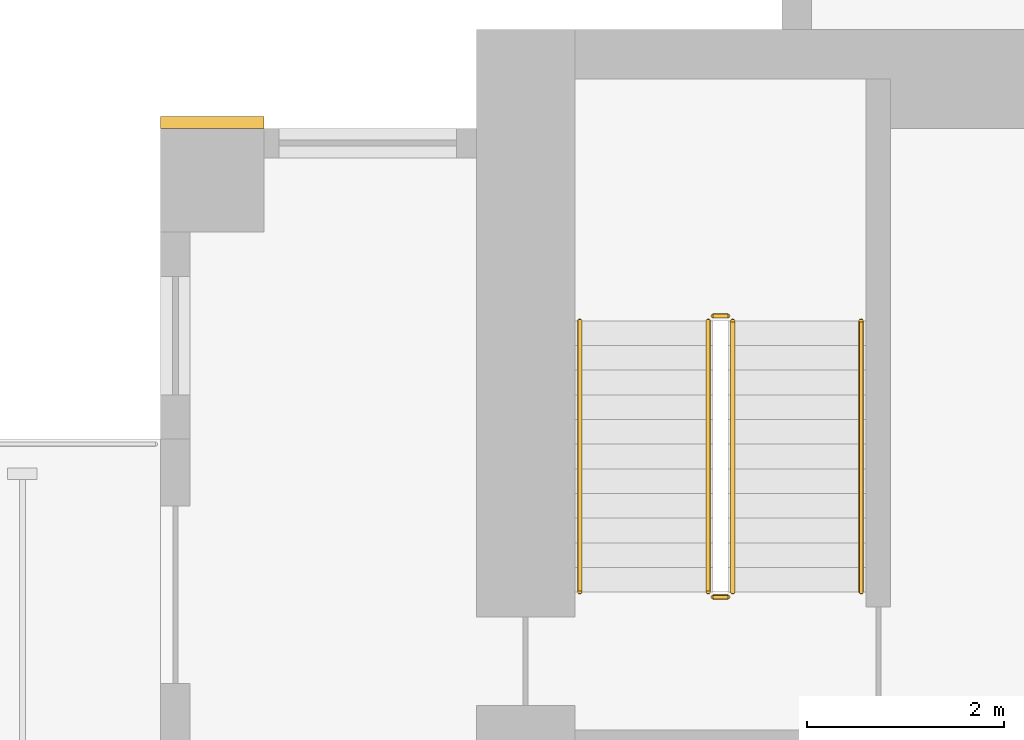
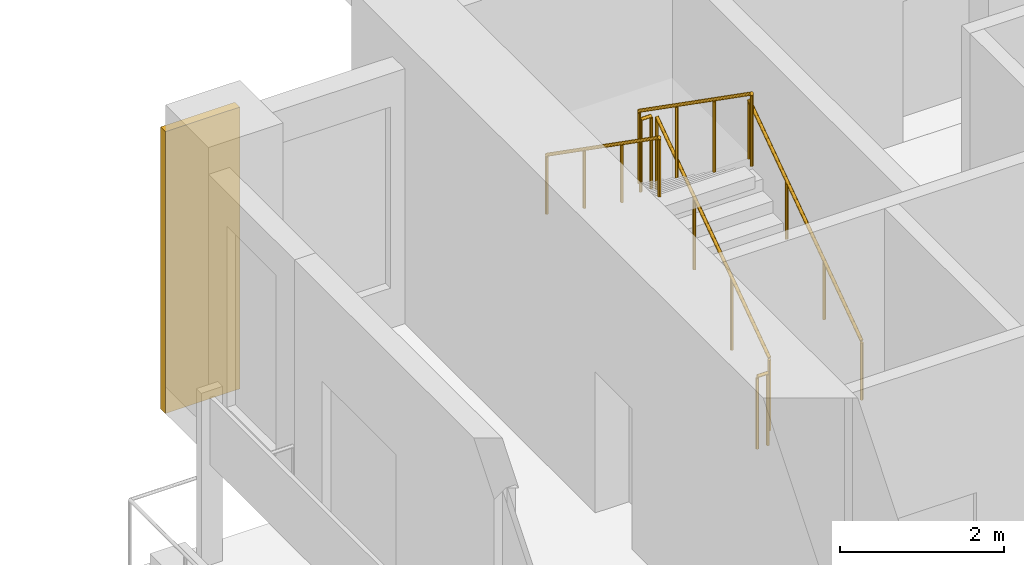
# One storey, part 11 of 14: 6 railings, 1 covering.
"""IFC4 building model written with IfcOpenShell, lengths in metres."""

import ifcopenshell
import ifcopenshell.guid

model = None  # the IFC model being written
_history = None  # IfcOwnerHistory: only IFC2X3 demands one
_inside = {}  # id of a spatial element -> (the spatial element, [elements in it])
_under = {}  # id of a project, library or spatial element -> (it, [spatial elements below it])
_declared = {}  # id of a project -> (the project, [libraries it declares])
_typed = {}  # id of a type object -> (the type object, [elements of that type])
_made_of = {}  # id of a material, layer set ... -> (it, [elements and type objects made of it])


def new_model(schema):
    """Start an empty IFC model of exactly this schema.

    Asked for "IFC4X3", IfcOpenShell would pick the latest addendum, in which some entities
    have other attributes; the version numbers below select the first issue.
    IFC2X3 requires an IfcOwnerHistory on every rooted entity: one is made here for all.
    """
    global model, _history
    if schema == "IFC4X3":
        model = ifcopenshell.file(schema_version=(4, 3, 0, 0))
    else:
        model = ifcopenshell.file(schema=schema)
    _inside.clear()
    _under.clear()
    _declared.clear()
    _typed.clear()
    _made_of.clear()
    _history = None
    if model.schema == "IFC2X3":
        org = make("IfcOrganization", Name="unknown")
        user = make(
            "IfcPersonAndOrganization",
            ThePerson=make("IfcPerson", FamilyName="unknown"),
            TheOrganization=org,
        )
        app = make(
            "IfcApplication",
            ApplicationDeveloper=org,
            Version="unknown",
            ApplicationFullName="unknown",
            ApplicationIdentifier="unknown",
        )
        _history = make(
            "IfcOwnerHistory",
            OwningUser=user,
            OwningApplication=app,
            ChangeAction="ADDED",
            CreationDate=0,
        )
    return model


def make(cls, **values):
    """One entity of the class cls with the attributes given. An attribute that is None is left unset."""
    return model.create_entity(
        cls, **{name: value for name, value in values.items() if value is not None}
    )


def rooted(cls, **values):
    """An entity with a GlobalId (a new one), such as an element, a storey or a relation."""
    return make(cls, GlobalId=ifcopenshell.guid.new(), OwnerHistory=_history, **values)


def si_unit(unit_type, name, prefix=None):
    """IfcSIUnit, for example si_unit("LENGTHUNIT", "METRE", prefix="MILLI")."""
    return make("IfcSIUnit", UnitType=unit_type, Prefix=prefix, Name=name)


def assignment(units):
    """IfcUnitAssignment: the units of a project."""
    return None if units is None else make("IfcUnitAssignment", Units=units)


def point(xyz):
    """IfcCartesianPoint."""
    return None if xyz is None else make("IfcCartesianPoint", Coordinates=xyz)


def direction(xyz):
    """IfcDirection."""
    return None if xyz is None else make("IfcDirection", DirectionRatios=xyz)


def frame(location, z_axis=None, x_axis=None):
    """IfcAxis2Placement3D, a coordinate frame: its origin and axes. An axis left out is left unset."""
    return make(
        "IfcAxis2Placement3D",
        Location=point(location),
        Axis=direction(z_axis),
        RefDirection=direction(x_axis),
    )


def frame_2d(location, x_axis=None):
    """IfcAxis2Placement2D, a coordinate frame in the plane: its origin and x axis."""
    return make(
        "IfcAxis2Placement2D", Location=point(location), RefDirection=direction(x_axis)
    )


def origin():
    """The frame at (0, 0, 0) with its axes left unset."""
    return frame((0.0, 0.0, 0.0))


def origin_2d():
    """The frame at (0, 0) in the plane with its x axis left unset."""
    return frame_2d((0.0, 0.0))


def place(relative_to, where):
    """IfcLocalPlacement: puts the frame where relative to a parent placement (None: the world)."""
    return make(
        "IfcLocalPlacement", PlacementRelTo=relative_to, RelativePlacement=where
    )


def context(
    kind, dimensions, precision=None, world=None, true_north=None, identifier=None
):
    """IfcGeometricRepresentationContext, for example the 3D "Model" context."""
    return make(
        "IfcGeometricRepresentationContext",
        ContextIdentifier=identifier,
        ContextType=kind,
        CoordinateSpaceDimension=dimensions,
        Precision=precision,
        WorldCoordinateSystem=world,
        TrueNorth=true_north,
    )


def subcontext(parent, identifier, kind, view, scale=None):
    """IfcGeometricRepresentationSubContext, for example "Body" below "Model"."""
    return make(
        "IfcGeometricRepresentationSubContext",
        ContextIdentifier=identifier,
        ContextType=kind,
        ParentContext=parent,
        TargetScale=scale,
        TargetView=view,
    )


def project(units=None, contexts=None):
    """IfcProject with its units and contexts."""
    return rooted(
        "IfcProject",
        Name="project",
        RepresentationContexts=contexts,
        UnitsInContext=assignment(units),
    )


def spatial(cls, under=None, at=None, **own):
    """A site, building, storey or space (cls), placed at a placement, below another one or the project."""
    s = rooted(cls, ObjectPlacement=at, **own)
    if under is not None:
        _under.setdefault(under.id(), (under, []))[1].append(s)
    return s


def profile(cls, at=None, kind="AREA", **sizes):
    """A parametric profile (cls). Its sizes go by their IFC names, for example OverallWidth=200.0."""
    return make(cls, ProfileType=kind, Position=at, **sizes)


def rectangle(**sizes):
    """IfcRectangleProfileDef."""
    return profile("IfcRectangleProfileDef", **sizes)


def circle(**sizes):
    """IfcCircleProfileDef."""
    return profile("IfcCircleProfileDef", **sizes)


def extrude(swept, where, along, depth):
    """IfcExtrudedAreaSolid: the profile swept, set in the frame where, extruded along a direction by depth."""
    return make(
        "IfcExtrudedAreaSolid",
        SweptArea=swept,
        Position=where,
        ExtrudedDirection=direction(along),
        Depth=depth,
    )


def shape(context_of_items, identifier, shape_type, items):
    """IfcShapeRepresentation: the items that make up one representation, for example the "Body"."""
    return make(
        "IfcShapeRepresentation",
        ContextOfItems=context_of_items,
        RepresentationIdentifier=identifier,
        RepresentationType=shape_type,
        Items=items,
    )


def source(mapping_origin, context_of_items, identifier, shape_type, items):
    """IfcRepresentationMap: a shape defined once, which mapped items show again and again."""
    return make(
        "IfcRepresentationMap",
        MappingOrigin=mapping_origin,
        MappedRepresentation=shape(context_of_items, identifier, shape_type, items),
    )


def transform(
    local_origin,
    x_axis=None,
    y_axis=None,
    z_axis=None,
    scale=None,
    scale2=None,
    scale3=None,
    uniform=True,
):
    """IfcCartesianTransformationOperator3D, or its non-uniform kind. x_axis, y_axis, z_axis: its Axis1, 2, 3."""
    if uniform:
        return make(
            "IfcCartesianTransformationOperator3D",
            Axis1=direction(x_axis),
            Axis2=direction(y_axis),
            LocalOrigin=point(local_origin),
            Scale=scale,
            Axis3=direction(z_axis),
        )
    return make(
        "IfcCartesianTransformationOperator3DnonUniform",
        Axis1=direction(x_axis),
        Axis2=direction(y_axis),
        LocalOrigin=point(local_origin),
        Scale=scale,
        Axis3=direction(z_axis),
        Scale2=scale2,
        Scale3=scale3,
    )


def mapped(mapping_source, mapping_target):
    """IfcMappedItem: shows the shape of a source again, moved by a transform."""
    return make(
        "IfcMappedItem", MappingSource=mapping_source, MappingTarget=mapping_target
    )


def material(Name=None, Category=None):
    """IfcMaterial."""
    return make("IfcMaterial", Name=Name, Category=Category)


def made_of(thing, what):
    """Note that an element or type object is made of a material, layer set ...; save() writes the relation."""
    if what is not None:
        _made_of.setdefault(what.id(), (what, []))[1].append(thing)
    return thing


def type_object(cls, material=None, **own):
    """A type object (cls), such as IfcWallType, which elements share."""
    return made_of(rooted(cls, **own), material)


def element(
    cls,
    number,
    at=None,
    inside=None,
    cuts=None,
    type_object=None,
    material=None,
    context=None,
    identifier="Body",
    shape_type=None,
    held_by="IfcProductDefinitionShape",
    body=None,
    shapes=None,
    **own,
):
    """One element of the class cls, such as IfcWall. Its Tag is "e" and its number.

    at: its placement. inside: the storey or other place that contains it. cuts: it is an
    opening in that element (IfcRelVoidsElement). A single representation is given by context,
    identifier, shape_type and body (its items); several are given by shapes. held_by: the class
    of the entity that holds the representations. save() writes the other relations.
    """
    e = rooted(cls, Tag="e%d" % number, ObjectPlacement=at, **own)
    if body is not None:
        shapes = [shape(context, identifier, shape_type, body)]
    if shapes is not None:
        e.Representation = make(held_by, Representations=shapes)
    if inside is not None:
        _inside.setdefault(inside.id(), (inside, []))[1].append(e)
    if cuts is not None:
        rooted(
            "IfcRelVoidsElement", RelatingBuildingElement=cuts, RelatedOpeningElement=e
        )
    if type_object is not None:
        _typed.setdefault(type_object.id(), (type_object, []))[1].append(e)
    return made_of(e, material)


def aggregate(whole, parts):
    """IfcRelAggregates: a whole, such as a stair, and the parts it consists of."""
    return rooted("IfcRelAggregates", RelatingObject=whole, RelatedObjects=parts)


def save(model, path):
    """Write the relations noted so far, then the file.

    IfcRelAggregates (storeys below a building ...), IfcRelContainedInSpatialStructure (elements
    in a storey), IfcRelDefinesByType, IfcRelAssociatesMaterial and IfcRelDeclares: one each for
    every whole, place, type object, material and project.
    """
    for whole, parts in _under.values():
        aggregate(whole, parts)
    for where, things in _inside.values():
        rooted(
            "IfcRelContainedInSpatialStructure",
            RelatedElements=things,
            RelatingStructure=where,
        )
    for kind, things in _typed.values():
        rooted("IfcRelDefinesByType", RelatedObjects=things, RelatingType=kind)
    for what, things in _made_of.values():
        rooted("IfcRelAssociatesMaterial", RelatedObjects=things, RelatingMaterial=what)
    for by, libraries in _declared.values():
        rooted("IfcRelDeclares", RelatingContext=by, RelatedDefinitions=libraries)
    model.write(path)


model = new_model("IFC4")

# Units and contexts
model_context = context("Model", 3, precision=1e-05, world=origin(), true_north=direction((0.0, 1.0)))
body_context = subcontext(model_context, "Body", "Model", "MODEL_VIEW")
ifc_project = project(units=[si_unit("LENGTHUNIT", "METRE"), si_unit("AREAUNIT", "SQUARE_METRE"), si_unit("VOLUMEUNIT", "CUBIC_METRE"), si_unit("PLANEANGLEUNIT", "RADIAN"), si_unit("MASSUNIT", "GRAM", prefix="KILO")], contexts=[model_context])

# Site, building, storey
site_placement = place(None, origin())
site = spatial("IfcSite", under=ifc_project, at=site_placement, CompositionType="ELEMENT")
building_placement = place(site_placement, origin())
building = spatial("IfcBuilding", under=site, at=building_placement, Name="Aurelian Terraces", CompositionType="ELEMENT")
storey_placement = place(building_placement, frame((0.0, 0.0, 111.9)))
storey = spatial("IfcBuildingStorey", under=building, at=storey_placement, Name="L24", CompositionType="ELEMENT", Elevation=111.9)

# Covering
ifc_material_1 = material(Name="Terracotta rainscreen cladding relief", Category="masonry")
covering_type = type_object("IfcCoveringType", Name="BAGUETTE-TC", PredefinedType="CLADDING", material=ifc_material_1)
shared_shape_1 = source(origin(), body_context, "Body", "SweptSolid", [
    extrude(rectangle(XDim=1.05, YDim=0.12, at=origin_2d()), origin(), (0.0, 0.0, 1.0), 4.2),
])
covering_placement = place(storey_placement, frame((0.525, 21.06, -0.4), z_axis=(0.0, 0.0, 1.0), x_axis=(1.0, 0.0, 0.0)))
element("IfcCovering", 1, at=covering_placement, inside=storey, type_object=covering_type, Name="BAGUETTE pier L24 6", PredefinedType="CLADDING", context=body_context, shape_type="MappedRepresentation", body=[
    mapped(shared_shape_1, transform((0.0, 0.0, 0.0), scale=1.0)),
])

# Railings
ifc_material_2 = material(Name="Stainless steel", Category="steel")
railing_type_1 = type_object("IfcRailingType", Name="Stair guard 1100", PredefinedType="GUARDRAIL", material=ifc_material_2)
shared_shape_2 = source(origin(), body_context, "Body", "SweptSolid", [
    extrude(circle(Radius=0.024, at=origin_2d()), frame((0.0, 0.0, 1.076), z_axis=(-1.0, 0.0, 0.0), x_axis=(0.0, -1.0, 0.0)), (0.0, 0.0, 1.0), 0.15),
    extrude(circle(Radius=0.021, at=origin_2d()), origin(), (0.0, 0.0, 1.0), 1.052),
    extrude(circle(Radius=0.021, at=origin_2d()), frame((-0.15, 0.0, 0.0)), (0.0, 0.0, 1.0), 1.052),
])
for number, where, name in (
    (2, (5.75, 19.1, 2.1), "L24 S1 stair guard 2"),
    (3, (5.75, 16.25, 0.0), "L24 S1 stair guard 4"),
):
    element("IfcRailing", number, at=place(storey_placement, frame(where)), inside=storey, type_object=railing_type_1, Name=name, PredefinedType="GUARDRAIL", context=body_context, shape_type="MappedRepresentation", body=[
        mapped(shared_shape_2, transform((0.0, 0.0, 0.0), scale=1.0)),
    ])
shared_shape_3 = source(origin(), body_context, "Body", "SweptSolid", [
    extrude(circle(Radius=0.024, at=origin_2d()), frame((0.0, 0.0, 1.076), z_axis=(0.0, 0.819231920519, 0.573462344363), x_axis=(-1.0, 0.0, 0.0)), (0.0, 0.0, 1.0), 3.3568),
    extrude(circle(Radius=0.021, at=origin_2d()), origin(), (0.0, 0.0, 1.0), 1.052),
    extrude(circle(Radius=0.021, at=origin_2d()), frame((0.0, 0.9167, 0.6417)), (0.0, 0.0, 1.0), 1.052),
    extrude(circle(Radius=0.021, at=origin_2d()), frame((0.0, 1.8333, 1.2833)), (0.0, 0.0, 1.0), 1.052),
    extrude(circle(Radius=0.021, at=origin_2d()), frame((0.0, 2.75, 1.925)), (0.0, 0.0, 1.0), 1.052),
])
railing_1_placement = place(storey_placement, frame((5.8, 16.3, 0.175)))
element("IfcRailing", 4, at=railing_1_placement, inside=storey, type_object=railing_type_1, Name="L24 S1 stair guard 1", PredefinedType="GUARDRAIL", context=body_context, shape_type="MappedRepresentation", body=[
    mapped(shared_shape_3, transform((0.0, 0.0, 0.0), scale=1.0)),
])
shared_shape_4 = source(origin(), body_context, "Body", "SweptSolid", [
    extrude(circle(Radius=0.024, at=origin_2d()), frame((0.0, 0.0, 1.076), z_axis=(0.0, -0.819231920519, 0.573462344363), x_axis=(1.0, 0.0, 0.0)), (0.0, 0.0, 1.0), 3.3568),
    extrude(circle(Radius=0.021, at=origin_2d()), origin(), (0.0, 0.0, 1.0), 1.052),
    extrude(circle(Radius=0.021, at=origin_2d()), frame((0.0, -0.9167, 0.6417)), (0.0, 0.0, 1.0), 1.052),
    extrude(circle(Radius=0.021, at=origin_2d()), frame((0.0, -1.8333, 1.2833)), (0.0, 0.0, 1.0), 1.052),
    extrude(circle(Radius=0.021, at=origin_2d()), frame((0.0, -2.75, 1.925)), (0.0, 0.0, 1.0), 1.052),
])
railing_2_placement = place(storey_placement, frame((5.55, 19.05, 2.275)))
element("IfcRailing", 5, at=railing_2_placement, inside=storey, type_object=railing_type_1, Name="L24 S1 stair guard 3", PredefinedType="GUARDRAIL", context=body_context, shape_type="MappedRepresentation", body=[
    mapped(shared_shape_4, transform((0.0, 0.0, 0.0), scale=1.0)),
])
railing_type_2 = type_object("IfcRailingType", Name="Stair handrail", PredefinedType="HANDRAIL", material=ifc_material_2)
shared_shape_5 = source(origin(), body_context, "Body", "SweptSolid", [
    extrude(circle(Radius=0.024, at=origin_2d()), frame((0.0, 0.0, 0.876), z_axis=(0.0, 0.819231920519, 0.573462344363), x_axis=(-1.0, 0.0, 0.0)), (0.0, 0.0, 1.0), 3.3568),
    extrude(circle(Radius=0.021, at=origin_2d()), origin(), (0.0, 0.0, 1.0), 0.852),
    extrude(circle(Radius=0.021, at=origin_2d()), frame((0.0, 0.9167, 0.6417)), (0.0, 0.0, 1.0), 0.852),
    extrude(circle(Radius=0.021, at=origin_2d()), frame((0.0, 1.8333, 1.2833)), (0.0, 0.0, 1.0), 0.852),
    extrude(circle(Radius=0.021, at=origin_2d()), frame((0.0, 2.75, 1.925)), (0.0, 0.0, 1.0), 0.852),
])
railing_3_placement = place(storey_placement, frame((7.1, 16.3, 0.175)))
element("IfcRailing", 6, at=railing_3_placement, inside=storey, type_object=railing_type_2, Name="L24 S1 stair handrail 1", PredefinedType="HANDRAIL", context=body_context, shape_type="MappedRepresentation", body=[
    mapped(shared_shape_5, transform((0.0, 0.0, 0.0), scale=1.0)),
])
shared_shape_6 = source(origin(), body_context, "Body", "SweptSolid", [
    extrude(circle(Radius=0.024, at=origin_2d()), frame((0.0, 0.0, 0.876), z_axis=(0.0, -0.819231920519, 0.573462344363), x_axis=(1.0, 0.0, 0.0)), (0.0, 0.0, 1.0), 3.3568),
    extrude(circle(Radius=0.021, at=origin_2d()), origin(), (0.0, 0.0, 1.0), 0.852),
    extrude(circle(Radius=0.021, at=origin_2d()), frame((0.0, -0.9167, 0.6417)), (0.0, 0.0, 1.0), 0.852),
    extrude(circle(Radius=0.021, at=origin_2d()), frame((0.0, -1.8333, 1.2833)), (0.0, 0.0, 1.0), 0.852),
    extrude(circle(Radius=0.021, at=origin_2d()), frame((0.0, -2.75, 1.925)), (0.0, 0.0, 1.0), 0.852),
])
railing_4_placement = place(storey_placement, frame((4.25, 19.05, 2.275)))
element("IfcRailing", 7, at=railing_4_placement, inside=storey, type_object=railing_type_2, Name="L24 S1 stair handrail 2", PredefinedType="HANDRAIL", context=body_context, shape_type="MappedRepresentation", body=[
    mapped(shared_shape_6, transform((0.0, 0.0, 0.0), scale=1.0)),
])

save(model, "model.ifc")
